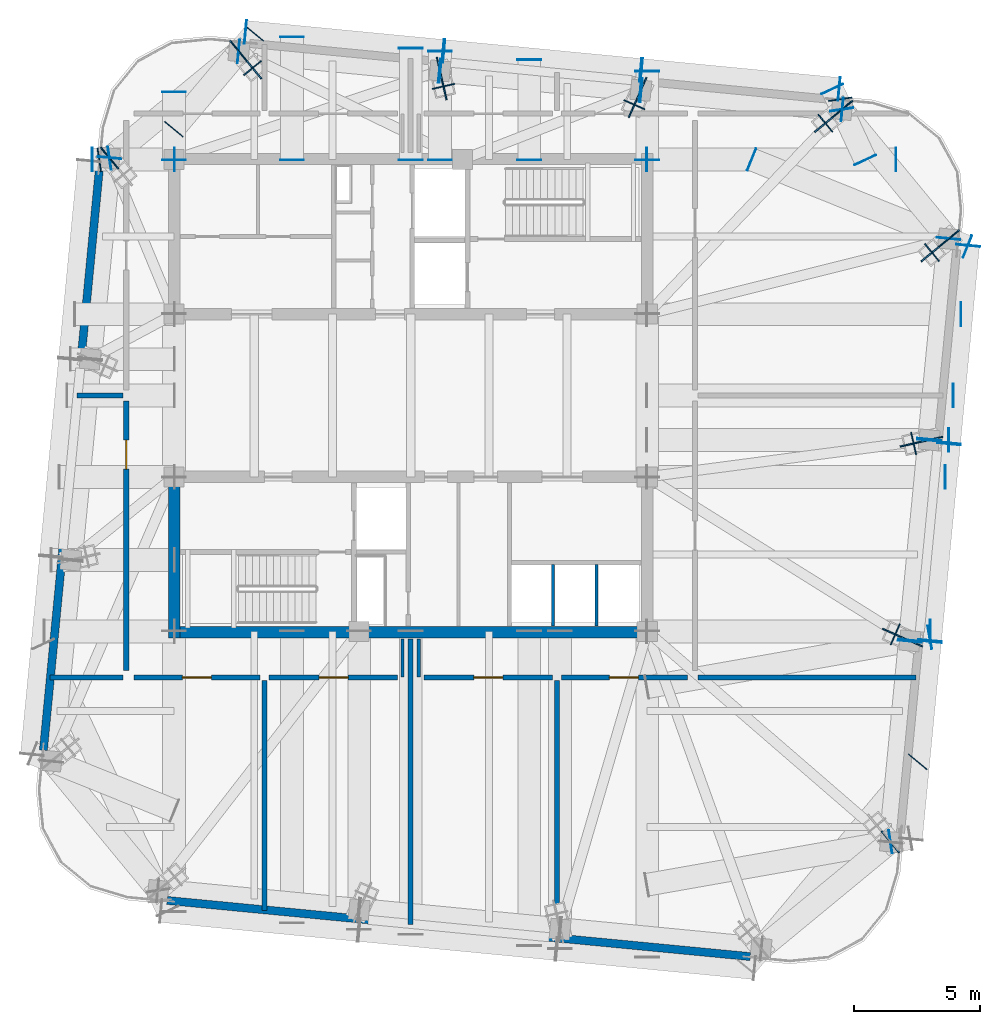
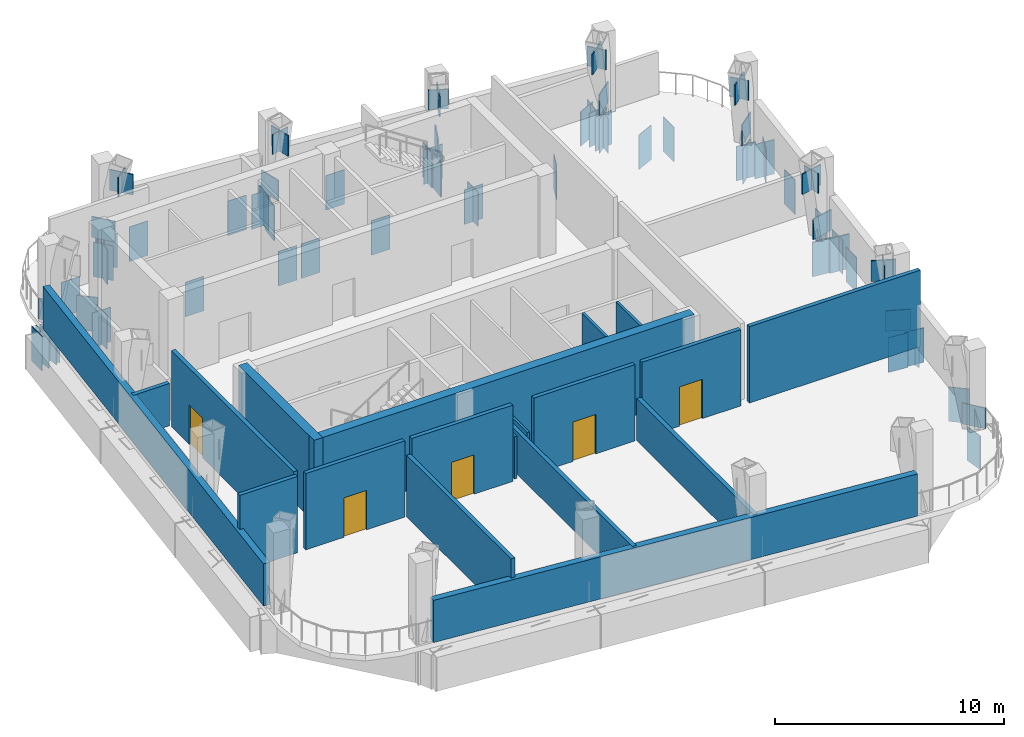
# One storey, part 4 of 9: 84 plates, 19 walls, 5 doors, 5 openings.
"""IFC4 building model written with IfcOpenShell, lengths in metres."""

from ifc_helpers import new_model, si_unit, direction, frame, frame_2d, origin, origin_2d, place, context, subcontext, project, spatial, rectangle, extrude, material, layer, layer_set, type_object, element, fill, save


model = new_model("IFC4")

# Units and contexts
model_context = context("Model", 3, precision=1e-05, world=origin(), true_north=direction((0.0, 1.0)))
body_context = subcontext(model_context, "Body", "Model", "MODEL_VIEW")
ifc_project = project(units=[si_unit("LENGTHUNIT", "METRE"), si_unit("AREAUNIT", "SQUARE_METRE"), si_unit("VOLUMEUNIT", "CUBIC_METRE"), si_unit("PLANEANGLEUNIT", "RADIAN"), si_unit("MASSUNIT", "GRAM", prefix="KILO")], contexts=[model_context])

# Site, building, storey
site_placement = place(None, origin())
site = spatial("IfcSite", under=ifc_project, at=site_placement, CompositionType="ELEMENT")
building_placement = place(site_placement, origin())
building = spatial("IfcBuilding", under=site, at=building_placement, Name="Qhalaya Broadcast Tower", CompositionType="ELEMENT")
storey_placement = place(building_placement, frame((0.0, 0.0, 284.89990234375)))
storey = spatial("IfcBuildingStorey", under=building, at=storey_placement, Name="L84", CompositionType="ELEMENT", Elevation=284.89990234375)

# Plates
ifc_material_1 = material(Name="Structural Steel ASTM A572 Grade 50", Category="steel")
ifc_layer_1 = layer(ifc_material_1, 0.054931640625, Name="Structural Steel ASTM A572 Grade 50")
ifc_layer_set_1 = layer_set([ifc_layer_1], Name="Structural Steel ASTM A572 Grade 50")
plate_type_1 = type_object("IfcPlateType", Name="Exoskeleton Diamond Node Gusset Plate NP-01", PredefinedType="USERDEFINED", material=ifc_layer_set_1)
for number, where, z_axis, x_axis, name in (
    (1, (19.012939453125, -17.08544921875, 0.0), (0.0, 0.0, 1.0), (-0.63609168757, 0.771613481611, 0.0), "L84 Strut Foot Gusset Plate 05"),
    (2, (19.77978515625, -9.122314453125, 0.0), (0.0, 0.0, 1.0), (-0.913977972328, 0.405763805803, 0.0), "L84 Strut Foot Gusset Plate 06"),
    (3, (19.20166015625, -8.865478515625, 2.7099609375), (0.0, 0.0, 1.0), (-0.913977972328, 0.405763805803, 0.0), "L84 Strut Head Gusset Plate 06"),
    (4, (20.54638671875, -1.158935546875, 0.0), (0.0, 0.0, 1.0), (-0.974612914735, -0.223896552969, 0.0), "L84 Strut Foot Gusset Plate 07"),
    (5, (19.93017578125, -1.300537109375, 2.7099609375), (0.0, 0.0, 1.0), (-0.974612914735, -0.223896552969, 0.0), "L84 Strut Head Gusset Plate 07"),
    (6, (21.313232421875, 6.80419921875, 0.0), (0.0, 0.0, 1.0), (-0.771668988144, -0.636024349169, 0.0), "L84 Strut Foot Gusset Plate 08"),
    (7, (20.658447265625, 6.264404296875, 2.7099609375), (0.0, 0.0, 1.0), (-0.771668988144, -0.636024349169, 0.0), "L84 Strut Head Gusset Plate 08"),
    (8, (17.08544921875, 11.93310546875, 0.0), (0.0, 0.0, 1.0), (-0.771613481611, -0.63609168757, 0.0), "L84 Strut Foot Gusset Plate 09"),
    (9, (16.4306640625, 11.393310546875, 2.7099609375), (0.0, 0.0, 1.0), (-0.771613481611, -0.63609168757, 0.0), "L84 Strut Head Gusset Plate 09"),
    (10, (9.122314453125, 12.69970703125, 0.0), (0.0, 0.0, 1.0), (-0.405763805803, -0.913977972328, 0.0), "L84 Strut Foot Gusset Plate 10"),
    (11, (8.865478515625, 12.12158203125, 2.7099609375), (0.0, 0.0, 1.0), (-0.405763805803, -0.913977972328, 0.0), "L84 Strut Head Gusset Plate 10"),
    (12, (1.158935546875, 13.466552734375, 0.0), (0.0, 0.0, 1.0), (0.223896552969, -0.974612914735, 0.0), "L84 Strut Foot Gusset Plate 11"),
    (13, (1.300537109375, 12.85009765625, 2.7099609375), (0.0, 0.0, 1.0), (0.223896552969, -0.974612914735, 0.0), "L84 Strut Head Gusset Plate 11"),
    (14, (-6.80419921875, 14.2333984375, 0.0), (0.0, 0.0, 1.0), (0.636024349169, -0.771668988144, 0.0), "L84 Strut Foot Gusset Plate 12"),
    (15, (-6.264404296875, 13.57861328125, 2.7099609375), (0.0, 0.0, 1.0), (0.636024349169, -0.771668988144, 0.0), "L84 Strut Head Gusset Plate 12"),
    (16, (-11.93310546875, 10.00537109375, 0.0), (0.0, 0.0, 1.0), (0.63609168757, -0.771613481611, 0.0), "L84 Strut Foot Gusset Plate 13"),
):
    element("IfcPlate", number, at=place(storey_placement, frame(where, z_axis=z_axis, x_axis=x_axis)), inside=storey, type_object=plate_type_1, Name=name, ObjectType="GUSSET_PLATE", PredefinedType="USERDEFINED", context=body_context, shape_type="SweptSolid", body=[
        extrude(rectangle(XDim=1.10009765625, YDim=0.06005859375, at=origin_2d()), origin(), (0.0, 0.0, 1.0), 1.10009765625),
    ])
ifc_layer_2 = layer(ifc_material_1, 0.4599609375, Name="Structural Steel ASTM A572 Grade 50")
ifc_layer_set_2 = layer_set([ifc_layer_2], Name="Structural Steel ASTM A572 Grade 50")
plate_type_2 = type_object("IfcPlateType", Name="Hollow Box Member End Cap Plate CP-01", PredefinedType="USERDEFINED", material=ifc_layer_set_2)
for number, where, z_axis, x_axis, name in (
    (17, (19.78125, -9.106201171875, -2.10009765625), (0.0, 0.0, 1.0), (-0.995396198367, 0.09584575252, 0.0), "L84 Hollow Girder End Cap L84-SPR-05-B"),
    (18, (19.7783203125, -9.13818359375, -2.10009765625), (0.0, 0.0, 1.0), (-0.995396198367, 0.09584575252, 0.0), "L84 Hollow Girder End Cap L84-SPR-06-A"),
    (19, (20.548095703125, -1.14306640625, -2.10009765625), (0.0, 0.0, 1.0), (-0.995396198367, 0.09584575252, 0.0), "L84 Hollow Girder End Cap L84-SPR-06-B"),
    (20, (20.544921875, -1.1748046875, -2.10009765625), (0.0, 0.0, 1.0), (-0.995396198367, 0.09584575252, 0.0), "L84 Hollow Girder End Cap L84-SPR-07-A"),
    (21, (21.314697265625, 6.820068359375, -2.10009765625), (0.0, 0.0, 1.0), (-0.995396198367, 0.09584575252, 0.0), "L84 Hollow Girder End Cap L84-SPR-07-B"),
    (22, (21.323486328125, 6.791748046875, -2.10009765625), (0.0, 0.0, 1.0), (-0.771624583388, -0.636078220278, 0.0), "L84 Hollow Girder End Cap L84-SPR-08-A"),
    (23, (17.0751953125, 11.9453125, -2.10009765625), (0.0, 0.0, 1.0), (-0.771624583388, -0.636078220278, 0.0), "L84 Hollow Girder End Cap L84-SPR-08-B"),
    (24, (17.101318359375, 11.931396484375, -2.10009765625), (0.0, 0.0, 1.0), (-0.09584575252, -0.995396198367, 0.0), "L84 Hollow Girder End Cap L84-SPR-09-A"),
    (25, (9.106201171875, 12.701171875, -2.10009765625), (0.0, 0.0, 1.0), (-0.09584575252, -0.995396198367, 0.0), "L84 Hollow Girder End Cap L84-SPR-09-B"),
    (26, (9.13818359375, 12.6982421875, -2.10009765625), (0.0, 0.0, 1.0), (-0.09584575252, -0.995396198367, 0.0), "L84 Hollow Girder End Cap L84-SPR-10-A"),
    (27, (1.14306640625, 13.468017578125, -2.10009765625), (0.0, 0.0, 1.0), (-0.09584575252, -0.995396198367, 0.0), "L84 Hollow Girder End Cap L84-SPR-10-B"),
    (28, (1.1748046875, 13.465087890625, -2.10009765625), (0.0, 0.0, 1.0), (-0.09584575252, -0.995396198367, 0.0), "L84 Hollow Girder End Cap L84-SPR-11-A"),
    (29, (-6.820068359375, 14.23486328125, -2.10009765625), (0.0, 0.0, 1.0), (-0.09584575252, -0.995396198367, 0.0), "L84 Hollow Girder End Cap L84-SPR-11-B"),
    (30, (-6.791748046875, 14.243408203125, -2.10009765625), (0.0, 0.0, 1.0), (0.636078220278, -0.771624583388, 0.0), "L84 Hollow Girder End Cap L84-SPR-12-A"),
    (31, (-11.9453125, 9.9951171875, -2.10009765625), (0.0, 0.0, 1.0), (0.636078220278, -0.771624583388, 0.0), "L84 Hollow Girder End Cap L84-SPR-12-B"),
    (32, (-11.931396484375, 10.021240234375, -2.10009765625), (0.0, 0.0, 1.0), (0.995396198367, -0.09584575252, 0.0), "L84 Hollow Girder End Cap L84-SPR-13-A"),
    (33, (20.583984375, -9.11669921875, -2.10009765625), (0.0, 0.0, 1.0), (-0.99539787104, 0.095828379565, 0.0), "L84 Hollow Girder End Cap L84-TGL-05-B"),
    (34, (20.580810546875, -9.1484375, -2.10009765625), (0.0, 0.0, 1.0), (-0.995396198367, 0.09584575252, 0.0), "L84 Hollow Girder End Cap L84-TGL-06-A"),
    (35, (21.337890625, -1.2861328125, -2.10009765625), (0.0, 0.0, 1.0), (-0.995396198367, 0.09584575252, 0.0), "L84 Hollow Girder End Cap L84-TGL-06-B"),
    (36, (21.3349609375, -1.318115234375, -2.10009765625), (0.0, 0.0, 1.0), (-0.995396198367, 0.09584575252, 0.0), "L84 Hollow Girder End Cap L84-TGL-07-A"),
    (37, (22.091796875, 6.544189453125, -2.10009765625), (0.0, 0.0, 1.0), (-0.995396198367, 0.09584575252, 0.0), "L84 Hollow Girder End Cap L84-TGL-07-B"),
    (38, (16.97900390625, 12.7470703125, -2.10009765625), (0.0, 0.0, 1.0), (-0.095828379565, -0.99539787104, 0.0), "L84 Hollow Girder End Cap L84-TGL-09-A"),
    (39, (9.11669921875, 13.50390625, -2.10009765625), (0.0, 0.0, 1.0), (-0.095828379565, -0.99539787104, 0.0), "L84 Hollow Girder End Cap L84-TGL-09-B"),
    (40, (9.1484375, 13.5009765625, -2.10009765625), (0.0, 0.0, 1.0), (-0.09584575252, -0.995396198367, 0.0), "L84 Hollow Girder End Cap L84-TGL-10-A"),
    (41, (1.2861328125, 14.2578125, -2.10009765625), (0.0, 0.0, 1.0), (-0.09584575252, -0.995396198367, 0.0), "L84 Hollow Girder End Cap L84-TGL-10-B"),
    (42, (1.318115234375, 14.2548828125, -2.10009765625), (0.0, 0.0, 1.0), (-0.09584575252, -0.995396198367, 0.0), "L84 Hollow Girder End Cap L84-TGL-11-A"),
    (43, (-6.544189453125, 15.011962890625, -2.10009765625), (0.0, 0.0, 1.0), (-0.09584575252, -0.995396198367, 0.0), "L84 Hollow Girder End Cap L84-TGL-11-B"),
    (44, (-9.375, 9.93408203125, -2.10009765625), (0.0, 0.0, 1.0), (-1.0, 0.0, 0.0), "L84 Hollow Girder End Cap L84-TGINW-1-A"),
    (45, (-9.375, 12.6279296875, -2.10009765625), (0.0, 0.0, 1.0), (-1.0, 0.0, 0.0), "L84 Hollow Girder End Cap L84-TGINW-1-B"),
    (46, (9.375, 9.93408203125, -2.10009765625), (0.0, 0.0, 1.0), (-1.0, 0.0, 0.0), "L84 Hollow Girder End Cap L84-TGINE-1-A"),
    (47, (9.375, 13.454833984375, -2.10009765625), (0.0, 0.0, 1.0), (-1.0, 0.0, 0.0), "L84 Hollow Girder End Cap L84-TGINE-1-B"),
    (48, (0.0, 9.93408203125, -2.10009765625), (0.0, 0.0, 1.0), (-1.0, 0.0, 0.0), "L84 Hollow Girder End Cap L84-TGIMN-1-A"),
    (49, (0.0, 14.357666015625, -2.10009765625), (0.0, 0.0, 1.0), (-1.0, 0.0, 0.0), "L84 Hollow Girder End Cap L84-TGIMN-1-B"),
    (50, (-4.699951171875, 9.93408203125, -2.10009765625), (0.0, 0.0, 1.0), (-1.0, 0.0, 0.0), "L84 Hollow Girder End Cap L84-TGIMNW-1-A"),
    (51, (-4.699951171875, 14.810302734375, -2.10009765625), (0.0, 0.0, 1.0), (-1.0, 0.0, 0.0), "L84 Hollow Girder End Cap L84-TGIMNW-1-B"),
    (52, (4.699951171875, 9.93408203125, -2.10009765625), (0.0, 0.0, 1.0), (-1.0, 0.0, 0.0), "L84 Hollow Girder End Cap L84-TGIMNE-1-A"),
    (53, (4.699951171875, 13.905029296875, -2.10009765625), (0.0, 0.0, 1.0), (-1.0, 0.0, 0.0), "L84 Hollow Girder End Cap L84-TGIMNE-1-B"),
    (54, (21.495361328125, 0.60009765625, -2.10009765625), (0.0, 0.0, 1.0), (0.0, 1.0, 0.0), "L84 Hollow Girder End Cap L84-TGIYE-1-B"),
    (55, (20.594970703125, -8.75, -2.10009765625), (0.0, 0.0, 1.0), (0.0, 1.0, 0.0), "L84 Hollow Girder End Cap L84-TGIY1E-1-B"),
    (56, (21.184814453125, -2.625, -2.10009765625), (0.0, 0.0, 1.0), (0.0, 1.0, 0.0), "L84 Hollow Girder End Cap L84-TGIY2E-1-B"),
    (57, (21.805908203125, 3.824951171875, -2.10009765625), (0.0, 0.0, 1.0), (0.0, 1.0, 0.0), "L84 Hollow Girder End Cap L84-TGIY3E-1-B"),
    (58, (-12.620361328125, 9.949951171875, -2.10009765625), (0.0, 0.0, 1.0), (0.0, 1.0, 0.0), "L84 Hollow Girder End Cap L84-TGIY4W-1-A"),
    (59, (-9.35888671875, 9.949951171875, -2.10009765625), (0.0, 0.0, 1.0), (0.0, 1.0, 0.0), "L84 Hollow Girder End Cap L84-TGIY4W-1-B"),
    (60, (9.35888671875, 9.949951171875, -2.10009765625), (0.0, 0.0, 1.0), (0.0, 1.0, 0.0), "L84 Hollow Girder End Cap L84-TGIY4E-1-A"),
    (61, (19.23388671875, 9.949951171875, -2.10009765625), (0.0, 0.0, 1.0), (0.0, 1.0, 0.0), "L84 Hollow Girder End Cap L84-TGIY4E-1-B"),
    (62, (20.0908203125, -13.91650390625, -2.10009765625), (0.0, 0.0, 1.0), (-0.766044443119, 0.642787609687, 0.0), "L84 Hollow Girder End Cap L84-TGC-04-B"),
):
    element("IfcPlate", number, at=place(storey_placement, frame(where, z_axis=z_axis, x_axis=x_axis)), inside=storey, type_object=plate_type_2, Name=name, ObjectType="COVER_PLATE", PredefinedType="USERDEFINED", context=body_context, shape_type="SweptSolid", body=[
        extrude(rectangle(XDim=0.93994140625, YDim=0.031982421875, at=origin_2d()), origin(), (0.0, 0.0, 1.0), 1.840087890625),
    ])
plate_1_placement = place(storey_placement, frame((19.012939453125, -17.08544921875, -2.080078125), z_axis=(0.0, 0.0, 1.0), x_axis=(0.148430798906, -0.988922796752, 0.0)))
element("IfcPlate", 63, at=plate_1_placement, inside=storey, type_object=plate_type_2, Name="L84 Transfer Box End Cap 05", ObjectType="COVER_PLATE", PredefinedType="USERDEFINED", context=body_context, shape_type="SweptSolid", body=[
    extrude(rectangle(XDim=0.919921875, YDim=0.035888671875, at=origin_2d()), origin(), (0.0, 0.0, 1.0), 1.800048828125),
])
for number, where, z_axis, x_axis, name in (
    (64, (20.572265625, -8.982421875, -2.10009765625), (0.0, 0.0, 1.0), (-0.173648177667, 0.984807753012, 0.0), "L84 Hollow Girder End Cap L84-TGC-06-B"),
    (65, (21.325927734375, -1.158935546875, -2.10009765625), (0.0, 0.0, 1.0), (0.0, 1.0, 0.0), "L84 Hollow Girder End Cap L84-TGC-07-B"),
    (66, (13.51220703125, 9.9560546875, -2.10009765625), (0.0, 0.0, 1.0), (0.374606593416, 0.927183854567, 0.0), "L84 Hollow Girder End Cap L84-TGC-08-A"),
    (67, (22.06298828125, 6.501220703125, -2.10009765625), (0.0, 0.0, 1.0), (0.374606593416, 0.927183854567, 0.0), "L84 Hollow Girder End Cap L84-TGC-08-B"),
    (68, (16.705810546875, 12.746826171875, -2.10009765625), (0.0, 0.0, 1.0), (0.906300410818, 0.422634079731, 0.0), "L84 Hollow Girder End Cap L84-TGC-09-A"),
    (69, (18.016845703125, 9.935546875, -2.10009765625), (0.0, 0.0, 1.0), (0.906300410818, 0.422634079731, 0.0), "L84 Hollow Girder End Cap L84-TGC-09-B"),
):
    element("IfcPlate", number, at=place(storey_placement, frame(where, z_axis=z_axis, x_axis=x_axis)), inside=storey, type_object=plate_type_2, Name=name, ObjectType="COVER_PLATE", PredefinedType="USERDEFINED", context=body_context, shape_type="SweptSolid", body=[
        extrude(rectangle(XDim=0.93994140625, YDim=0.031982421875, at=origin_2d()), origin(), (0.0, 0.0, 1.0), 1.840087890625),
    ])
plate_2_placement = place(storey_placement, frame((17.08544921875, 11.93310546875, -2.080078125), z_axis=(0.0, 0.0, 1.0), x_axis=(0.988922796752, 0.148430798906, 0.0)))
element("IfcPlate", 70, at=plate_2_placement, inside=storey, type_object=plate_type_2, Name="L84 Transfer Box End Cap 09", ObjectType="COVER_PLATE", PredefinedType="USERDEFINED", context=body_context, shape_type="SweptSolid", body=[
    extrude(rectangle(XDim=0.919921875, YDim=0.035888671875, at=origin_2d()), origin(), (0.0, 0.0, 1.0), 1.800048828125),
])
for number, where, z_axis, x_axis, name in (
    (71, (1.158935546875, 9.93408203125, -2.10009765625), (0.0, 0.0, 1.0), (-1.0, 0.0, 0.0), "L84 Hollow Girder End Cap L84-TGC-11-A"),
    (72, (1.158935546875, 14.24609375, -2.10009765625), (0.0, 0.0, 1.0), (-1.0, 0.0, 0.0), "L84 Hollow Girder End Cap L84-TGC-11-B"),
    (73, (-9.38525390625, 11.156982421875, -2.10009765625), (0.0, 0.0, 1.0), (-0.766055661762, 0.642774239591, 0.0), "L84 Hollow Girder End Cap L84-TGC-12-A"),
    (74, (-6.201171875, 14.951904296875, -2.10009765625), (0.0, 0.0, 1.0), (-0.766055661762, 0.642774239591, 0.0), "L84 Hollow Girder End Cap L84-TGC-12-B"),
):
    element("IfcPlate", number, at=place(storey_placement, frame(where, z_axis=z_axis, x_axis=x_axis)), inside=storey, type_object=plate_type_2, Name=name, ObjectType="COVER_PLATE", PredefinedType="USERDEFINED", context=body_context, shape_type="SweptSolid", body=[
        extrude(rectangle(XDim=0.93994140625, YDim=0.031982421875, at=origin_2d()), origin(), (0.0, 0.0, 1.0), 1.840087890625),
    ])
plate_3_placement = place(storey_placement, frame((-11.93310546875, 10.00537109375, -2.080078125), z_axis=(0.0, 0.0, 1.0), x_axis=(-0.148430798906, 0.988922796752, 0.0)))
element("IfcPlate", 75, at=plate_3_placement, inside=storey, type_object=plate_type_2, Name="L84 Transfer Box End Cap 13", ObjectType="COVER_PLATE", PredefinedType="USERDEFINED", context=body_context, shape_type="SweptSolid", body=[
    extrude(rectangle(XDim=0.919921875, YDim=0.035888671875, at=origin_2d()), origin(), (0.0, 0.0, 1.0), 1.800048828125),
])
ifc_layer_3 = layer(ifc_material_1, 0.044921875, Name="Structural Steel ASTM A572 Grade 50")
ifc_layer_set_3 = layer_set([ifc_layer_3], Name="Structural Steel ASTM A572 Grade 50")
plate_type_3 = type_object("IfcPlateType", Name="Transfer Girder Web Stiffener Plate WS-01", PredefinedType="USERDEFINED", material=ifc_layer_set_3)
for number, where, z_axis, x_axis, name in (
    (76, (17.024169921875, 12.3408203125, -2.080078125), (0.0, 0.0, 1.0), (0.988922796752, 0.148430798906, 0.0), "L84 Transfer Girder Stiffener 09"),
    (77, (-12.3408203125, 9.944091796875, -2.080078125), (0.0, 0.0, 1.0), (-0.148430798906, 0.988922796752, 0.0), "L84 Transfer Girder Stiffener 13"),
):
    element("IfcPlate", number, at=place(storey_placement, frame(where, z_axis=z_axis, x_axis=x_axis)), inside=storey, type_object=plate_type_3, Name=name, ObjectType="STIFFENER_PLATE", PredefinedType="USERDEFINED", context=body_context, shape_type="SweptSolid", body=[
        extrude(rectangle(XDim=0.93994140625, YDim=0.044921875, at=origin_2d()), origin(), (0.0, 0.0, 1.0), 1.800048828125),
    ])
for number, where, z_axis, x_axis, name in (
    (78, (19.20166015625, -8.865478515625, 2.73486328125), (0.0, 0.0, 1.0), (-0.405763805803, -0.913977972328, 0.0), "L84 Strut Head Cross Diaphragm Plate 06"),
    (79, (19.93017578125, -1.300537109375, 2.73486328125), (0.0, 0.0, 1.0), (0.223896552969, -0.974612914735, 0.0), "L84 Strut Head Cross Diaphragm Plate 07"),
    (80, (20.658447265625, 6.264404296875, 2.73486328125), (0.0, 0.0, 1.0), (0.636024349169, -0.771668988144, 0.0), "L84 Strut Head Cross Diaphragm Plate 08"),
    (81, (16.4306640625, 11.393310546875, 2.73486328125), (0.0, 0.0, 1.0), (0.63609168757, -0.771613481611, 0.0), "L84 Strut Head Cross Diaphragm Plate 09"),
    (82, (8.865478515625, 12.12158203125, 2.73486328125), (0.0, 0.0, 1.0), (0.913977972328, -0.405763805803, 0.0), "L84 Strut Head Cross Diaphragm Plate 10"),
    (83, (1.300537109375, 12.85009765625, 2.73486328125), (0.0, 0.0, 1.0), (0.974612914735, 0.223896552969, 0.0), "L84 Strut Head Cross Diaphragm Plate 11"),
    (84, (-6.264404296875, 13.57861328125, 2.73486328125), (0.0, 0.0, 1.0), (0.771668988144, 0.636024349169, 0.0), "L84 Strut Head Cross Diaphragm Plate 12"),
):
    element("IfcPlate", number, at=place(storey_placement, frame(where, z_axis=z_axis, x_axis=x_axis)), inside=storey, type_object=plate_type_3, Name=name, ObjectType="STIFFENER_PLATE", PredefinedType="USERDEFINED", context=body_context, shape_type="SweptSolid", body=[
        extrude(rectangle(XDim=0.89990234375, YDim=0.044921875, at=origin_2d()), origin(), (0.0, 0.0, 1.0), 1.050048828125),
    ])

# Wall
ifc_material_2 = material(Name="Gypsum Acoustic Partition")
ifc_layer_4 = layer(ifc_material_2, 0.199951171875, Name="Gypsum Acoustic Partition")
ifc_layer_set_4 = layer_set([ifc_layer_4], Name="Gypsum Acoustic Partition")
wall_type_1 = type_object("IfcWallType", Name="Firefighting Lobby & Stair Enclosure Wall 200", PredefinedType="PARTITIONING", material=ifc_layer_set_4)
wall_1_placement = place(storey_placement, frame((0.0, -20.358154296875, 0.0), z_axis=(0.0, 0.0, 1.0), x_axis=(0.0, 1.0, 0.0)))
element("IfcWall", 85, at=wall_1_placement, inside=storey, type_object=wall_type_1, Name="L84 Partition Wall W-OBS", PredefinedType="PARTITIONING", context=body_context, shape_type="SweptSolid", body=[
    extrude(rectangle(XDim=11.318115234375, YDim=0.199951171875, at=frame_2d((5.6591796875, 0.0))), origin(), (0.0, 0.0, 1.0), 2.25),
])

# Wall, opening, door
wall_2_placement = place(storey_placement, frame((-10.969970703125, -10.570068359375, 0.0), z_axis=(0.0, 0.0, 1.0), x_axis=(1.0, 0.0, 0.0)))
wall_2 = element("IfcWall", 86, at=wall_2_placement, inside=storey, type_object=wall_type_1, Name="L84 Partition Wall W-PCS0", PredefinedType="PARTITIONING", context=body_context, shape_type="SweptSolid", body=[
    extrude(rectangle(XDim=4.989990234375, YDim=0.199951171875, at=frame_2d((2.4951171875, 0.0))), origin(), (0.0, 0.0, 1.0), 4.070068359375),
])
opening_1_placement = place(wall_2_placement, frame((1.919921875, 0.0, 0.0)))
opening_1 = element("IfcOpeningElement", 87, at=opening_1_placement, cuts=wall_2, Name="Opening D05", PredefinedType="OPENING", context=body_context, shape_type="SweptSolid", body=[
    extrude(rectangle(XDim=1.14990234375, YDim=2.10009765625, at=frame_2d((0.574951171875, 1.050048828125))), frame((0.0, 0.112060546875, 0.0), z_axis=(0.0, -1.0, 0.0), x_axis=(1.0, 0.0, 0.0)), (0.0, 0.0, 1.0), 0.223876953125),
])
ifc_material_3 = material(Name="Fire-Rated Steel Door", Category="steel")
door_type = type_object("IfcDoorType", Name="Refuge & Plant Room Fire Door D05", OperationType="NOTDEFINED", PredefinedType="DOOR", material=ifc_material_3)
door_1_placement = place(opening_1_placement, origin())
door_1 = element("IfcDoor", 88, at=door_1_placement, inside=storey, type_object=door_type, Name="L84 Door D-PCS0", OperationType="SINGLE_SWING_RIGHT", OverallHeight=2.10009765625, OverallWidth=1.14990234375, PredefinedType="DOOR", context=body_context, shape_type="SweptSolid", body=[
    extrude(rectangle(XDim=1.14990234375, YDim=2.10009765625, at=frame_2d((0.574951171875, 1.050048828125))), frame((0.0, 0.02490234375, 0.0), z_axis=(0.0, -1.0, 0.0), x_axis=(1.0, 0.0, 0.0)), (0.0, 0.0, 1.0), 0.050048828125),
])
fill(opening_1, door_1)

# Wall
wall_3_placement = place(storey_placement, frame((-5.800048828125, -19.7998046875, 0.0), z_axis=(0.0, 0.0, 1.0), x_axis=(0.0, 1.0, 0.0)))
element("IfcWall", 89, at=wall_3_placement, inside=storey, type_object=wall_type_1, Name="L84 Partition Wall W-PDS1", PredefinedType="PARTITIONING", context=body_context, shape_type="SweptSolid", body=[
    extrude(rectangle(XDim=9.10986328125, YDim=0.199951171875, at=frame_2d((4.554931640625, 0.0))), origin(), (0.0, 0.0, 1.0), 3.2880859375),
])

# Wall, opening, door
wall_4_placement = place(storey_placement, frame((-5.6201171875, -10.570068359375, 0.0), z_axis=(0.0, 0.0, 1.0), x_axis=(1.0, 0.0, 0.0)))
wall_4 = element("IfcWall", 90, at=wall_4_placement, inside=storey, type_object=wall_type_1, Name="L84 Partition Wall W-PCS1", PredefinedType="PARTITIONING", context=body_context, shape_type="SweptSolid", body=[
    extrude(rectangle(XDim=5.090087890625, YDim=0.199951171875, at=frame_2d((2.544921875, 0.0))), origin(), (0.0, 0.0, 1.0), 4.070068359375),
])
opening_2_placement = place(wall_4_placement, frame((1.989990234375, 0.0, 0.0)))
opening_2 = element("IfcOpeningElement", 91, at=opening_2_placement, cuts=wall_4, Name="Opening D05", PredefinedType="OPENING", context=body_context, shape_type="SweptSolid", body=[
    extrude(rectangle(XDim=1.14990234375, YDim=2.10009765625, at=frame_2d((0.574951171875, 1.050048828125))), frame((0.0, 0.112060546875, 0.0), z_axis=(0.0, -1.0, 0.0), x_axis=(1.0, 0.0, 0.0)), (0.0, 0.0, 1.0), 0.223876953125),
])
door_2_placement = place(opening_2_placement, origin())
door_2 = element("IfcDoor", 92, at=door_2_placement, inside=storey, type_object=door_type, Name="L84 Door D-PCS1", OperationType="SINGLE_SWING_RIGHT", OverallHeight=2.10009765625, OverallWidth=1.14990234375, PredefinedType="DOOR", context=body_context, shape_type="SweptSolid", body=[
    extrude(rectangle(XDim=1.14990234375, YDim=2.10009765625, at=frame_2d((0.574951171875, 1.050048828125))), frame((0.0, 0.02490234375, 0.0), z_axis=(0.0, -1.0, 0.0), x_axis=(1.0, 0.0, 0.0)), (0.0, 0.0, 1.0), 0.050048828125),
])
fill(opening_2, door_2)

wall_5_placement = place(storey_placement, frame((0.530029296875, -10.570068359375, 0.0), z_axis=(0.0, 0.0, 1.0), x_axis=(1.0, 0.0, 0.0)))
wall_5 = element("IfcWall", 93, at=wall_5_placement, inside=storey, type_object=wall_type_1, Name="L84 Partition Wall W-PCS2", PredefinedType="PARTITIONING", context=body_context, shape_type="SweptSolid", body=[
    extrude(rectangle(XDim=5.090087890625, YDim=0.199951171875, at=frame_2d((2.544921875, 0.0))), origin(), (0.0, 0.0, 1.0), 4.070068359375),
])
opening_3_placement = place(wall_5_placement, frame((1.969970703125, 0.0, 0.0)))
opening_3 = element("IfcOpeningElement", 94, at=opening_3_placement, cuts=wall_5, Name="Opening D05", PredefinedType="OPENING", context=body_context, shape_type="SweptSolid", body=[
    extrude(rectangle(XDim=1.14990234375, YDim=2.10009765625, at=frame_2d((0.574951171875, 1.050048828125))), frame((0.0, 0.112060546875, 0.0), z_axis=(0.0, -1.0, 0.0), x_axis=(1.0, 0.0, 0.0)), (0.0, 0.0, 1.0), 0.223876953125),
])
door_3_placement = place(opening_3_placement, origin())
door_3 = element("IfcDoor", 95, at=door_3_placement, inside=storey, type_object=door_type, Name="L84 Door D-PCS2", OperationType="SINGLE_SWING_RIGHT", OverallHeight=2.10009765625, OverallWidth=1.14990234375, PredefinedType="DOOR", context=body_context, shape_type="SweptSolid", body=[
    extrude(rectangle(XDim=1.14990234375, YDim=2.10009765625, at=frame_2d((0.574951171875, 1.050048828125))), frame((0.0, 0.02490234375, 0.0), z_axis=(0.0, -1.0, 0.0), x_axis=(1.0, 0.0, 0.0)), (0.0, 0.0, 1.0), 0.050048828125),
])
fill(opening_3, door_3)

# Wall
wall_6_placement = place(storey_placement, frame((5.800048828125, -20.91650390625, 0.0), z_axis=(0.0, 0.0, 1.0), x_axis=(0.0, 1.0, 0.0)))
element("IfcWall", 96, at=wall_6_placement, inside=storey, type_object=wall_type_1, Name="L84 Partition Wall W-PDS3", PredefinedType="PARTITIONING", context=body_context, shape_type="SweptSolid", body=[
    extrude(rectangle(XDim=10.2265625, YDim=0.199951171875, at=frame_2d((5.11328125, 0.0))), origin(), (0.0, 0.0, 1.0), 2.25),
])

# Wall, opening, door
wall_7_placement = place(storey_placement, frame((5.97998046875, -10.570068359375, 0.0), z_axis=(0.0, 0.0, 1.0), x_axis=(1.0, 0.0, 0.0)))
wall_7 = element("IfcWall", 97, at=wall_7_placement, inside=storey, type_object=wall_type_1, Name="L84 Partition Wall W-PCS3", PredefinedType="PARTITIONING", context=body_context, shape_type="SweptSolid", body=[
    extrude(rectangle(XDim=4.989990234375, YDim=0.199951171875, at=frame_2d((2.4951171875, 0.0))), origin(), (0.0, 0.0, 1.0), 4.070068359375),
])
opening_4_placement = place(wall_7_placement, frame((1.889892578125, 0.0, 0.0)))
opening_4 = element("IfcOpeningElement", 98, at=opening_4_placement, cuts=wall_7, Name="Opening D05", PredefinedType="OPENING", context=body_context, shape_type="SweptSolid", body=[
    extrude(rectangle(XDim=1.14990234375, YDim=2.10009765625, at=frame_2d((0.574951171875, 1.050048828125))), frame((0.0, 0.112060546875, 0.0), z_axis=(0.0, -1.0, 0.0), x_axis=(1.0, 0.0, 0.0)), (0.0, 0.0, 1.0), 0.223876953125),
])
door_4_placement = place(opening_4_placement, origin())
door_4 = element("IfcDoor", 99, at=door_4_placement, inside=storey, type_object=door_type, Name="L84 Door D-PCS3", OperationType="SINGLE_SWING_RIGHT", OverallHeight=2.10009765625, OverallWidth=1.14990234375, PredefinedType="DOOR", context=body_context, shape_type="SweptSolid", body=[
    extrude(rectangle(XDim=1.14990234375, YDim=2.10009765625, at=frame_2d((0.574951171875, 1.050048828125))), frame((0.0, 0.02490234375, 0.0), z_axis=(0.0, -1.0, 0.0), x_axis=(1.0, 0.0, 0.0)), (0.0, 0.0, 1.0), 0.050048828125),
])
fill(opening_4, door_4)

# Walls
wall_8_placement = place(storey_placement, frame((-14.2958984375, -10.570068359375, 0.0), z_axis=(0.0, 0.0, 1.0), x_axis=(1.0, 0.0, 0.0)))
element("IfcWall", 100, at=wall_8_placement, inside=storey, type_object=wall_type_1, Name="L84 Partition Wall W-PBSW", PredefinedType="PARTITIONING", context=body_context, shape_type="SweptSolid", body=[
    extrude(rectangle(XDim=2.906005859375, YDim=0.199951171875, at=frame_2d((1.453125, 0.0))), origin(), (0.0, 0.0, 1.0), 4.070068359375),
])
wall_9_placement = place(storey_placement, frame((11.389892578125, -10.570068359375, 0.0), z_axis=(0.0, 0.0, 1.0), x_axis=(1.0, 0.0, 0.0)))
element("IfcWall", 101, at=wall_9_placement, inside=storey, type_object=wall_type_1, Name="L84 Partition Wall W-PBSE", PredefinedType="PARTITIONING", context=body_context, shape_type="SweptSolid", body=[
    extrude(rectangle(XDim=8.63232421875, YDim=0.199951171875, at=frame_2d((4.316162109375, 0.0))), origin(), (0.0, 0.0, 1.0), 4.070068359375),
])
wall_10_placement = place(storey_placement, frame((-13.220458984375, 0.60009765625, 0.0), z_axis=(0.0, 0.0, 1.0), x_axis=(1.0, 0.0, 0.0)))
element("IfcWall", 102, at=wall_10_placement, inside=storey, type_object=wall_type_1, Name="L84 Partition Wall W-PDW1", PredefinedType="PARTITIONING", context=body_context, shape_type="SweptSolid", body=[
    extrude(rectangle(XDim=1.83056640625, YDim=0.199951171875, at=frame_2d((0.915283203125, 0.0))), origin(), (0.0, 0.0, 1.0), 2.25),
])

# Wall, opening, door
wall_11_placement = place(storey_placement, frame((-11.27001953125, 0.389892578125, 0.0), z_axis=(0.0, 0.0, 1.0), x_axis=(0.0, -1.0, 0.0)))
wall_11 = element("IfcWall", 103, at=wall_11_placement, inside=storey, type_object=wall_type_1, Name="L84 Partition Wall W-PCW1", PredefinedType="PARTITIONING", context=body_context, shape_type="SweptSolid", body=[
    extrude(rectangle(XDim=10.679931640625, YDim=0.199951171875, at=frame_2d((5.33984375, 0.0))), origin(), (0.0, 0.0, 1.0), 4.070068359375),
])
opening_5_placement = place(wall_11_placement, frame((1.56103515625, 0.0, 0.0)))
opening_5 = element("IfcOpeningElement", 104, at=opening_5_placement, cuts=wall_11, Name="Opening D05", PredefinedType="OPENING", context=body_context, shape_type="SweptSolid", body=[
    extrude(rectangle(XDim=1.14990234375, YDim=2.10009765625, at=frame_2d((0.574951171875, 1.050048828125))), frame((0.0, 0.112060546875, 0.0), z_axis=(0.0, -1.0, 0.0), x_axis=(1.0, 0.0, 0.0)), (0.0, 0.0, 1.0), 0.223876953125),
])
door_5_placement = place(opening_5_placement, origin())
door_5 = element("IfcDoor", 105, at=door_5_placement, inside=storey, type_object=door_type, Name="L84 Door D-PCW1", OperationType="SINGLE_SWING_LEFT", OverallHeight=2.10009765625, OverallWidth=1.14990234375, PredefinedType="DOOR", context=body_context, shape_type="SweptSolid", body=[
    extrude(rectangle(XDim=1.14990234375, YDim=2.10009765625, at=frame_2d((0.574951171875, 1.050048828125))), frame((0.0, 0.02490234375, 0.0), z_axis=(0.0, -1.0, 0.0), x_axis=(1.0, 0.0, 0.0)), (0.0, 0.0, 1.0), 0.050048828125),
])
fill(opening_5, door_5)

# Walls
ifc_layer_5 = layer(ifc_material_2, 0.1201171875, Name="Gypsum Acoustic Partition")
ifc_layer_set_5 = layer_set([ifc_layer_5], Name="Gypsum Acoustic Partition")
wall_type_2 = type_object("IfcWallType", Name="Office, Booth & Sanitary Partition 120", PredefinedType="PARTITIONING", material=ifc_layer_set_5)
for number, where, z_axis, x_axis, name in (
    (106, (5.639892578125, -8.530029296875, 0.0), (0.0, 0.0, 1.0), (0.0, 1.0, 0.0), "L84 Partition Wall SCW-HD6"),
    (107, (7.360107421875, -8.530029296875, 0.0), (0.0, 0.0, 1.0), (0.0, 1.0, 0.0), "L84 Partition Wall SCW-HD7"),
):
    element("IfcWall", number, at=place(storey_placement, frame(where, z_axis=z_axis, x_axis=x_axis)), inside=storey, type_object=wall_type_2, Name=name, PredefinedType="PARTITIONING", context=body_context, shape_type="SweptSolid", body=[
        extrude(rectangle(XDim=2.429931640625, YDim=0.1201171875, at=frame_2d((1.21484375, 0.0))), origin(), (0.0, 0.0, 1.0), 4.070068359375),
    ])
for number, where, z_axis, x_axis, name in (
    (108, (-0.320068359375, -10.550048828125, 0.0), (0.0, 0.0, 1.0), (0.0, 1.0, 0.0), "L84 Partition Wall W-OBSCW"),
    (109, (0.320068359375, -10.550048828125, 0.0), (0.0, 0.0, 1.0), (0.0, 1.0, 0.0), "L84 Partition Wall W-OBSCE"),
):
    element("IfcWall", number, at=place(storey_placement, frame(where, z_axis=z_axis, x_axis=x_axis)), inside=storey, type_object=wall_type_2, Name=name, PredefinedType="PARTITIONING", context=body_context, shape_type="SweptSolid", body=[
        extrude(rectangle(XDim=1.510009765625, YDim=0.1201171875, at=frame_2d((0.7548828125, 0.0))), origin(), (0.0, 0.0, 1.0), 2.25),
    ])
ifc_material_4 = material(Name="Precast Concrete C40/50", Category="concrete")
ifc_layer_6 = layer(ifc_material_4, 0.320068359375, Name="Precast Concrete C40/50")
ifc_layer_set_6 = layer_set([ifc_layer_6], Name="Precast Concrete C40/50")
wall_type_3 = type_object("IfcWallType", Name="Recessed Neck Insulated Exterior Wall 320", PredefinedType="SOLIDWALL", material=ifc_layer_set_6)
for number, where, z_axis, x_axis, name in (
    (110, (13.46337890625, -21.634521484375, 0.0), (0.0, 0.0, 1.0), (-0.995395614039, 0.095851820809, 0.0), "L84 Exterior Facade Wall S"),
    (111, (-14.554443359375, -13.46337890625, 0.0), (0.0, 0.0, 1.0), (0.095841405003, 0.995396616976, 0.0), "L84 Exterior Facade Wall W"),
):
    element("IfcWall", number, at=place(storey_placement, frame(where, z_axis=z_axis, x_axis=x_axis)), inside=storey, type_object=wall_type_3, Name=name, PredefinedType="SOLIDWALL", context=body_context, shape_type="SweptSolid", body=[
        extrude(rectangle(XDim=23.22412109375, YDim=0.320068359375, at=frame_2d((11.612060546875, 0.0))), origin(), (0.0, 0.0, 1.0), 2.25),
    ])
ifc_material_5 = material(Name="Concrete C50/60", Category="concrete")
ifc_layer_7 = layer(ifc_material_5, 0.449951171875, Name="Concrete C50/60")
ifc_layer_set_7 = layer_set([ifc_layer_7], Name="Concrete C50/60")
wall_type_4 = type_object("IfcWallType", Name="Upper Split-Core Shear Wall 450", PredefinedType="SHEAR", material=ifc_layer_set_7)
wall_12_placement = place(storey_placement, frame((-9.60009765625, -8.77490234375, 0.0), z_axis=(0.0, 0.0, 1.0), x_axis=(1.0, 0.0, 0.0)))
element("IfcWall", 112, at=wall_12_placement, inside=storey, type_object=wall_type_4, Name="L84 Split-Core Shear Wall CW-SS", PredefinedType="SHEAR", context=body_context, shape_type="SweptSolid", body=[
    extrude(rectangle(XDim=19.2001953125, YDim=0.449951171875, at=frame_2d((9.60009765625, 0.0))), origin(), (0.0, 0.0, 1.0), 4.35009765625),
])
wall_13_placement = place(storey_placement, frame((-9.375, -9.0, 0.0), z_axis=(0.0, 0.0, 1.0), x_axis=(0.0, 1.0, 0.0)))
element("IfcWall", 113, at=wall_13_placement, inside=storey, type_object=wall_type_4, Name="L84 Split-Core Shear Wall CW-SW", PredefinedType="SHEAR", context=body_context, shape_type="SweptSolid", body=[
    extrude(rectangle(XDim=6.60009765625, YDim=0.449951171875, at=frame_2d((3.300048828125, 0.0))), origin(), (0.0, 0.0, 1.0), 4.35009765625),
])

save(model, "model.ifc")
